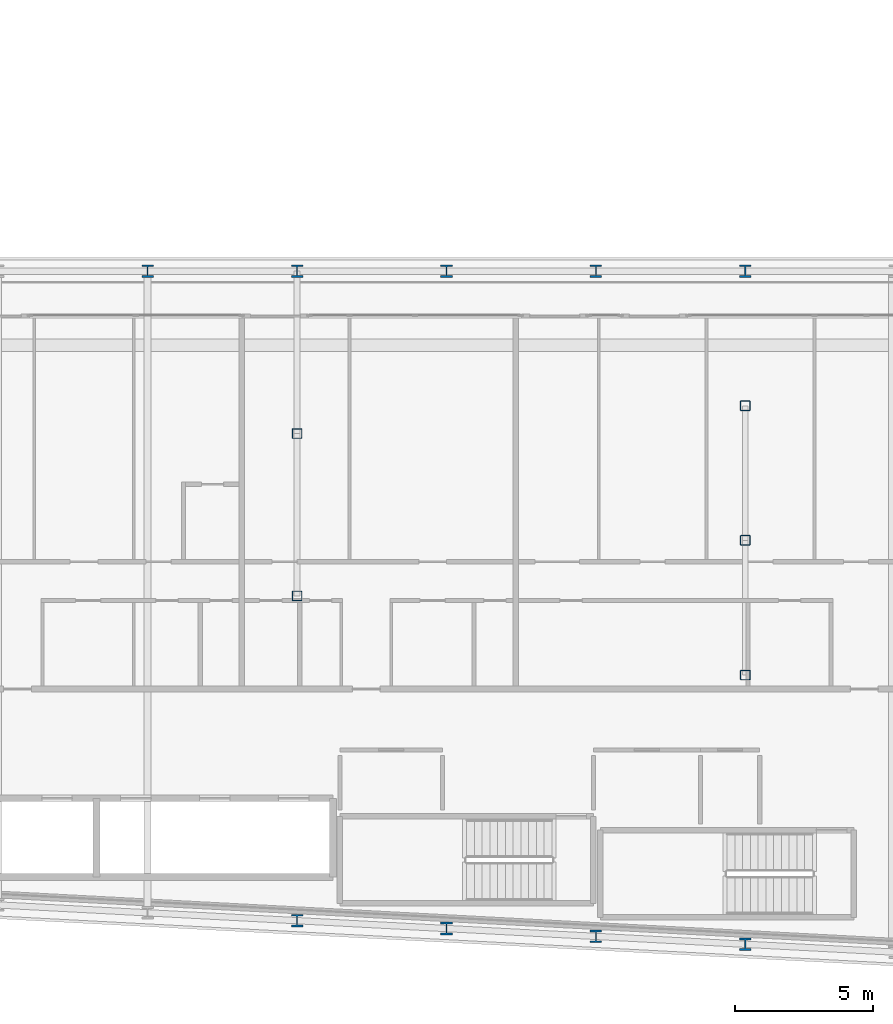
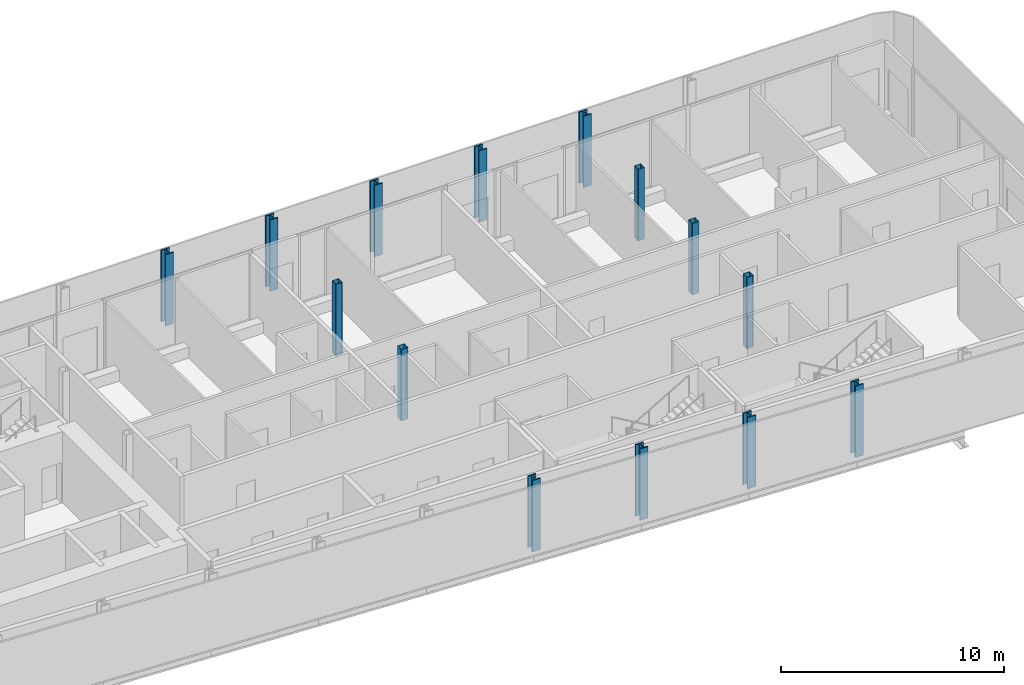
# One storey, part 2 of 28: 14 columns.
"""IFC4 building model written with IfcOpenShell, lengths in metres."""

from ifc_helpers import new_model, si_unit, direction, frame, origin, origin_2d, place, context, subcontext, project, spatial, hollow_rectangle, i_section, extrude, material, material_profile, profile_set, type_object, element, save


model = new_model("IFC4")

# Units and contexts
model_context = context("Model", 3, precision=1e-05, world=origin(), true_north=direction((0.0, 1.0)))
body_context = subcontext(model_context, "Body", "Model", "MODEL_VIEW")
ifc_project = project(units=[si_unit("LENGTHUNIT", "METRE"), si_unit("AREAUNIT", "SQUARE_METRE"), si_unit("VOLUMEUNIT", "CUBIC_METRE"), si_unit("PLANEANGLEUNIT", "RADIAN"), si_unit("MASSUNIT", "GRAM", prefix="KILO")], contexts=[model_context])

# Site, building, storey
site_placement = place(None, origin())
site = spatial("IfcSite", under=ifc_project, at=site_placement, CompositionType="ELEMENT")
building_placement = place(site_placement, origin())
building = spatial("IfcBuilding", under=site, at=building_placement, Name="Kheshtan School and Residences Tower", CompositionType="ELEMENT")
storey_placement = place(building_placement, frame((0.0, 0.0, 94.10009765625)))
storey = spatial("IfcBuildingStorey", under=building, at=storey_placement, Name="L21", CompositionType="ELEMENT", Elevation=94.10009765625)

# Columns
ifc_material_1 = material(Name="Steel ASTM A992 Grade 50", Category="steel")
ifc_material_profile_1 = material_profile(ifc_material_1, i_section(OverallWidth=0.41796875, OverallDepth=0.455078125, WebThickness=0.042236328125, FlangeThickness=0.067626953125, FilletRadius=0.013671875, at=origin_2d()), Name="W360x551")
ifc_profile_set_1 = profile_set([ifc_material_profile_1], Name="Steel ASTM A992 Grade 50")
column_type_1 = type_object("IfcColumnType", Name="Column C2 W360x551 ASTM A992 Grade 50", PredefinedType="COLUMN", material=ifc_profile_set_1)
for number, where, z_axis, x_axis, name in (
    (1, (85.39990234375, 21.27392578125, 0.0), (0.0, 0.0, 1.0), (1.0, 0.0, 0.0), "Column C008"),
    (2, (80.0, 21.55810546875, 0.0), (0.0, 0.0, 1.0), (1.0, 0.0, 0.0), "Column C012"),
    (3, (74.60009765625, 21.843017578125, 0.0), (0.0, 0.0, 1.0), (1.0, 0.0, 0.0), "Column C013"),
    (4, (69.199951171875, 22.126953125, 0.0), (0.0, 0.0, 1.0), (1.0, 0.0, 0.0), "Column C014"),
    (5, (63.800048828125, 45.60009765625, 0.0), (0.0, 0.0, 1.0), (1.0, 0.0, 0.0), "Column C063"),
    (6, (69.199951171875, 45.60009765625, 0.0), (0.0, 0.0, 1.0), (1.0, 0.0, 0.0), "Column C064"),
    (7, (74.60009765625, 45.60009765625, 0.0), (0.0, 0.0, 1.0), (1.0, 0.0, 0.0), "Column C065"),
    (8, (80.0, 45.60009765625, 0.0), (0.0, 0.0, 1.0), (1.0, 0.0, 0.0), "Column C066"),
    (9, (85.39990234375, 45.60009765625, 0.0), (0.0, 0.0, 1.0), (1.0, 0.0, 0.0), "Column C067"),
):
    element("IfcColumn", number, at=place(storey_placement, frame(where, z_axis=z_axis, x_axis=x_axis)), inside=storey, type_object=column_type_1, Name=name, PredefinedType="COLUMN", context=body_context, shape_type="SweptSolid", body=[
        extrude(i_section(OverallWidth=0.41796875, OverallDepth=0.455078125, WebThickness=0.042236328125, FlangeThickness=0.067626953125, FilletRadius=0.013671875, at=origin_2d()), origin(), (0.0, 0.0, 1.0), 3.89990234375),
    ])
ifc_material_2 = material(Name="Steel ASTM A500 Grade C", Category="steel")
ifc_material_profile_2 = material_profile(ifc_material_2, hollow_rectangle(XDim=0.35595703125, YDim=0.35595703125, WallThickness=0.015869140625, InnerFilletRadius=0.015869140625, OuterFilletRadius=0.03173828125, at=origin_2d()), Name="HSS 356x356x15.9")
ifc_profile_set_2 = profile_set([ifc_material_profile_2], Name="Steel ASTM A500 Grade C")
column_type_2 = type_object("IfcColumnType", Name="Column IC1 HSS 356x356x15.9 ASTM A500 Grade C", PredefinedType="COLUMN", material=ifc_profile_set_2)
for number, where, z_axis, x_axis, name in (
    (10, (85.39990234375, 31.0048828125, 0.0), (0.0, 0.0, 1.0), (1.0, 0.0, 0.0), "Column C049"),
    (11, (69.199951171875, 33.863037109375, 0.0), (0.0, 0.0, 1.0), (1.0, 0.0, 0.0), "Column C050"),
    (12, (85.39990234375, 35.8701171875, 0.0), (0.0, 0.0, 1.0), (1.0, 0.0, 0.0), "Column C053"),
    (13, (69.199951171875, 39.73193359375, 0.0), (0.0, 0.0, 1.0), (1.0, 0.0, 0.0), "Column C054"),
    (14, (85.39990234375, 40.735107421875, 0.0), (0.0, 0.0, 1.0), (1.0, 0.0, 0.0), "Column C057"),
):
    element("IfcColumn", number, at=place(storey_placement, frame(where, z_axis=z_axis, x_axis=x_axis)), inside=storey, type_object=column_type_2, Name=name, PredefinedType="COLUMN", context=body_context, shape_type="SweptSolid", body=[
        extrude(hollow_rectangle(XDim=0.35595703125, YDim=0.35595703125, WallThickness=0.015869140625, InnerFilletRadius=0.015869140625, OuterFilletRadius=0.03173828125, at=origin_2d()), origin(), (0.0, 0.0, 1.0), 3.89990234375),
    ])

save(model, "model.ifc")
